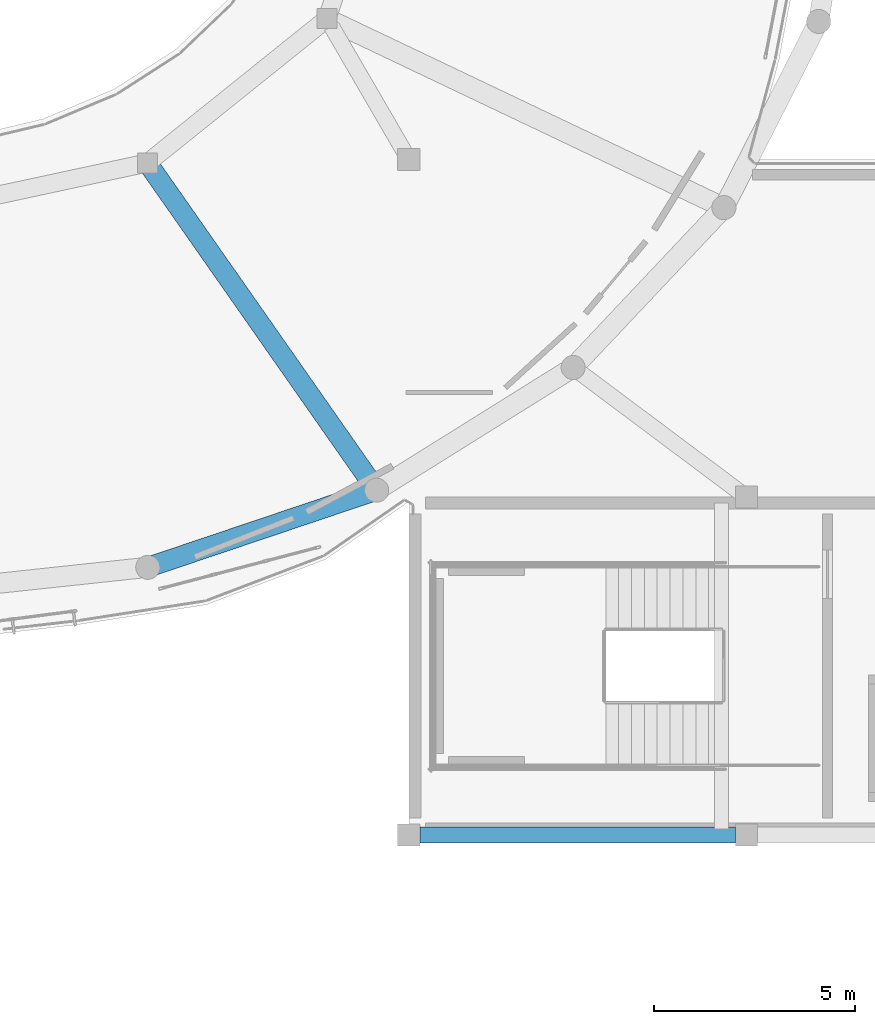
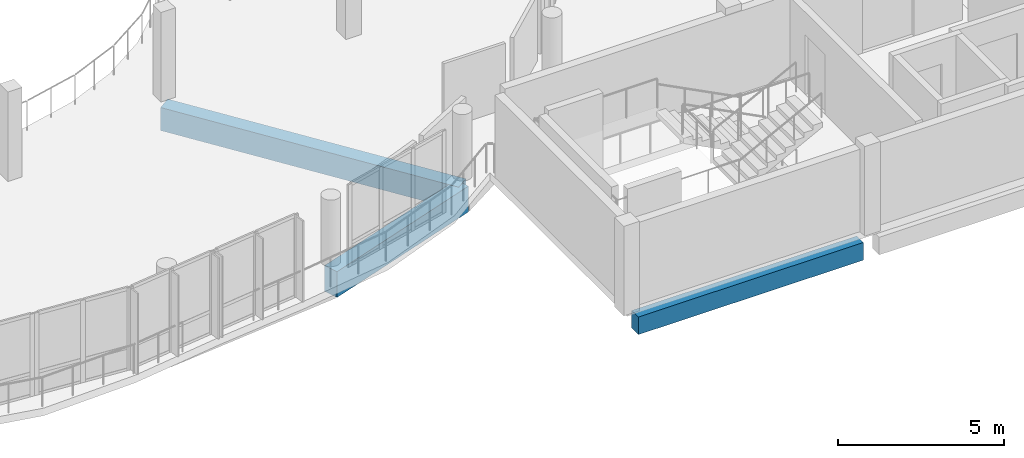
# One storey, part 8 of 43: 3 beams.
"""IFC4 building model written with IfcOpenShell, lengths in metres."""

from ifc_helpers import new_model, si_unit, derived_unit, direction, frame, origin, origin_2d, place, context, subcontext, project, spatial, rectangle, extrude, material, material_profile, profile_set, type_object, element, save


model = new_model("IFC4")

# Units and contexts
model_context = context("Model", 3, precision=1e-05, world=origin(), true_north=direction((0.0, 1.0)))
body_context = subcontext(model_context, "Body", "Model", "MODEL_VIEW")
ifc_project = project(units=[si_unit("LENGTHUNIT", "METRE"), si_unit("AREAUNIT", "SQUARE_METRE"), si_unit("VOLUMEUNIT", "CUBIC_METRE"), si_unit("PLANEANGLEUNIT", "RADIAN"), si_unit("MASSUNIT", "GRAM", prefix="KILO"), derived_unit("THERMALTRANSMITTANCEUNIT", [(si_unit("POWERUNIT", "WATT"), 1), (si_unit("LENGTHUNIT", "METRE"), -2), (si_unit("THERMODYNAMICTEMPERATUREUNIT", "KELVIN"), -1)])], contexts=[model_context])

# Site, building, storey
site_placement = place(None, origin())
site = spatial("IfcSite", under=ifc_project, at=site_placement, CompositionType="ELEMENT")
building_placement = place(site_placement, origin())
building = spatial("IfcBuilding", under=site, at=building_placement, Name="Elbkamm Science Centre", CompositionType="ELEMENT")
storey_placement = place(building_placement, frame((0.0, 0.0, 18.300048828125)))
storey = spatial("IfcBuildingStorey", under=building, at=storey_placement, Name="L04", CompositionType="ELEMENT", Elevation=18.300048828125)

# Beams
ifc_material = material(Name="Concrete C40/50", Category="concrete")
ifc_material_profile_1 = material_profile(ifc_material, rectangle(XDim=0.39990234375, YDim=0.64990234375, at=origin_2d()), Name="RC 400x650")
ifc_profile_set_1 = profile_set([ifc_material_profile_1], Name="Concrete C40/50")
beam_type_1 = type_object("IfcBeamType", Name="BM-RC-400x650", PredefinedType="BEAM", material=ifc_profile_set_1)
beam_1_placement = place(storey_placement, frame((75.875, 42.0, -0.60498046875), z_axis=(1.0, 0.0, 0.0), x_axis=(0.0, 1.0, 0.0)))
element("IfcBeam", 1, at=beam_1_placement, inside=storey, type_object=beam_type_1, Name="L04 Primary X-Girder 007", PredefinedType="BEAM", context=body_context, shape_type="SweptSolid", body=[
    extrude(rectangle(XDim=0.39990234375, YDim=0.64990234375, at=origin_2d()), origin(), (0.0, 0.0, 1.0), 7.85009765625),
])
ifc_material_profile_2 = material_profile(ifc_material, rectangle(XDim=0.5, YDim=0.85009765625, at=origin_2d()), Name="RC 500x850")
ifc_profile_set_2 = profile_set([ifc_material_profile_2], Name="Concrete C40/50")
beam_type_2 = type_object("IfcBeamType", Name="BM-RC-500x850", PredefinedType="BEAM", material=ifc_profile_set_2)
beam_2_placement = place(storey_placement, frame((69.10009765625, 58.712890625, -0.705078125), z_axis=(0.573553022395, -0.819168438419, 0.0), x_axis=(0.819168438419, 0.573553022395, 0.0)))
element("IfcBeam", 2, at=beam_2_placement, inside=storey, type_object=beam_type_2, Name="L04 Elliptical Radial Girder 11", PredefinedType="BEAM", context=body_context, shape_type="SweptSolid", body=[
    extrude(rectangle(XDim=0.5, YDim=0.85009765625, at=origin_2d()), origin(), (0.0, 0.0, 1.0), 9.93798828125),
])
ifc_material_profile_3 = material_profile(ifc_material, rectangle(XDim=0.5, YDim=0.949951171875, at=origin_2d()), Name="RC 500x950")
ifc_profile_set_3 = profile_set([ifc_material_profile_3], Name="Concrete C40/50")
beam_type_3 = type_object("IfcBeamType", Name="BM-RC-500x950", PredefinedType="BEAM", material=ifc_profile_set_3)
beam_3_placement = place(storey_placement, frame((69.10791015625, 48.654052734375, -0.755126953125), z_axis=(0.947649950761, 0.319311087848, 0.0), x_axis=(-0.319311087848, 0.947649950761, 0.0)))
element("IfcBeam", 3, at=beam_3_placement, inside=storey, type_object=beam_type_3, Name="L04 Elliptical Shell Perimeter Ring Beam 20", PredefinedType="SPANDREL", context=body_context, shape_type="SweptSolid", body=[
    extrude(rectangle(XDim=0.5, YDim=0.949951171875, at=origin_2d()), origin(), (0.0, 0.0, 1.0), 6.006591796875),
])

save(model, "model.ifc")
